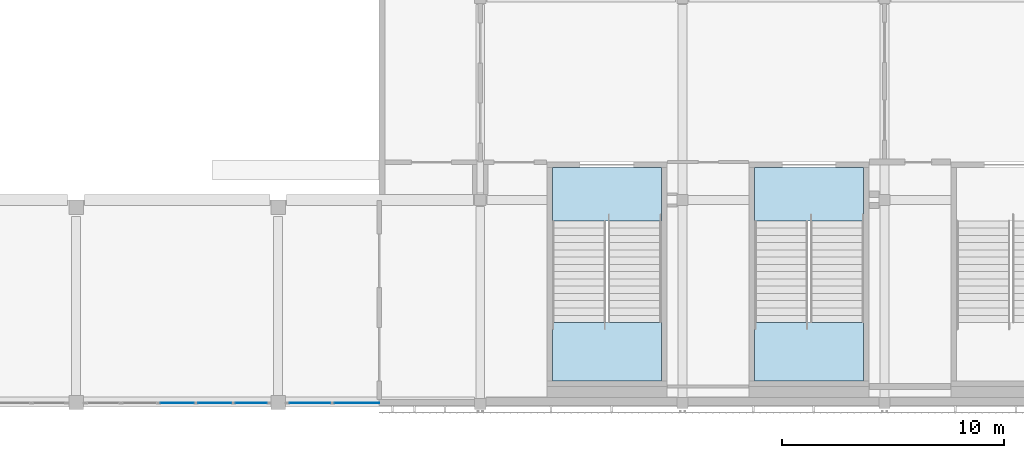
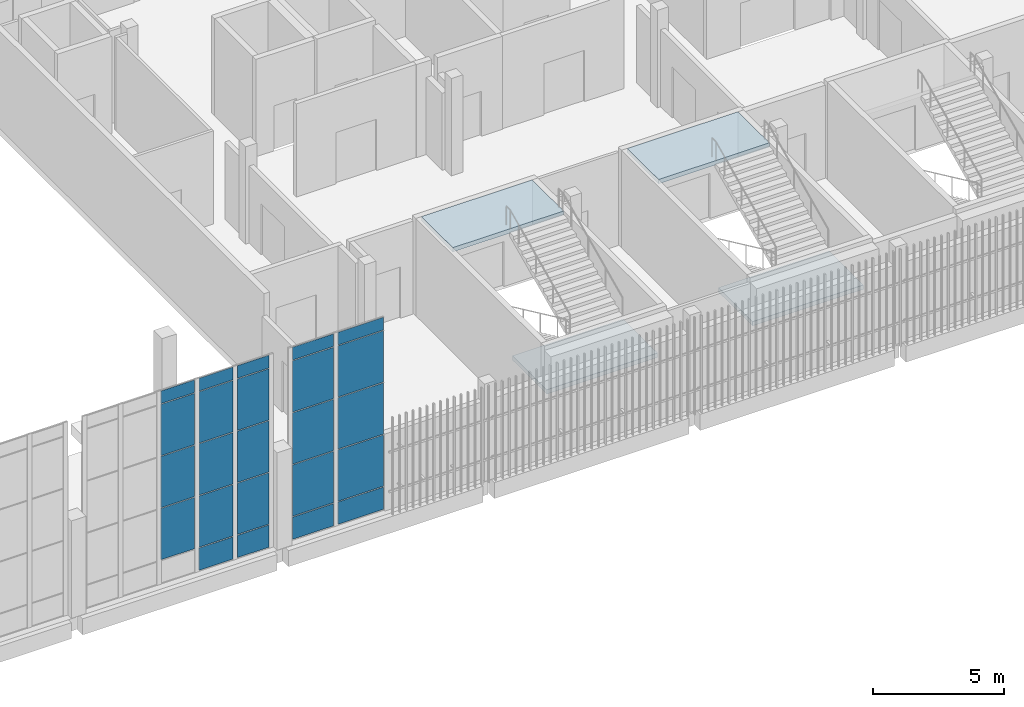
# One storey, part 33 of 91: 24 plates, 4 slabs, 4 elements without a shape of their own.
"""IFC4 building model written with IfcOpenShell, lengths in metres."""

from ifc_helpers import new_model, si_unit, direction, frame, origin, origin_2d, place, context, subcontext, project, spatial, polyline, rectangle, outline, extrude, material, layer, layer_set, type_object, element, aggregate, save


model = new_model("IFC4")

# Units and contexts
model_context = context("Model", 3, precision=1e-05, world=origin(), true_north=direction((0.0, 1.0)))
body_context = subcontext(model_context, "Body", "Model", "MODEL_VIEW")
ifc_project = project(units=[si_unit("LENGTHUNIT", "METRE"), si_unit("AREAUNIT", "SQUARE_METRE"), si_unit("VOLUMEUNIT", "CUBIC_METRE"), si_unit("PLANEANGLEUNIT", "RADIAN"), si_unit("MASSUNIT", "GRAM", prefix="KILO")], contexts=[model_context])

# Site, building, storey
site_placement = place(None, origin())
site = spatial("IfcSite", under=ifc_project, at=site_placement, CompositionType="ELEMENT")
building_placement = place(site_placement, origin())
building = spatial("IfcBuilding", under=site, at=building_placement, Name="Shirokan Park Arena", CompositionType="ELEMENT")
storey_placement = place(building_placement, frame((0.0, 0.0, 24.570068359375)))
storey = spatial("IfcBuildingStorey", under=building, at=storey_placement, Name="L05", CompositionType="ELEMENT", Elevation=24.570068359375)

# Curtain wall, plates
ifc_material_1 = material(Name="Steel and glass curtain wall", Category="steel")
ifc_layer_1 = layer(ifc_material_1, 0.199951171875)
ifc_layer_set_1 = layer_set([ifc_layer_1], Name="Steel and glass curtain wall 200 mm")
curtain_wall_type = type_object("IfcCurtainWallType", Name="Curtain wall hall bay 200", PredefinedType="NOTDEFINED", material=ifc_layer_set_1)
curtain_wall_1_placement = place(storey_placement, origin())
curtain_wall_1 = element("IfcCurtainWall", 1, at=curtain_wall_1_placement, inside=storey, type_object=curtain_wall_type, Name="Curtain wall south bay 11 L05", PredefinedType="NOTDEFINED")
ifc_material_2 = material(Name="Toughened glass", Category="glass")
ifc_layer_2 = layer(ifc_material_2, 0.012939453125, Name="Toughened glass")
ifc_material_3 = material(Name="Interlayer film")
ifc_layer_3 = layer(ifc_material_3, 0.001953125, Name="Interlayer film")
ifc_layer_4 = layer(ifc_material_2, 0.012939453125, Name="Toughened glass")
ifc_layer_set_2 = layer_set([ifc_layer_2, ifc_layer_3, ifc_layer_4], Name="Toughened glass + Interlayer film")
plate_type_1 = type_object("IfcPlateType", Name="Laminated glass panel 28", PredefinedType="CURTAIN_PANEL", material=ifc_layer_set_2)
plate_1_placement = place(storey_placement, frame((95.550048828125, -0.050048828125, 1.1201171875), z_axis=(0.0, 0.0, 1.0), x_axis=(1.0, 0.0, 0.0)))
plate_1 = element("IfcPlate", 2, at=plate_1_placement, type_object=plate_type_1, Name="CW5 panel 3.2", PredefinedType="CURTAIN_PANEL", context=body_context, shape_type="SweptSolid", body=[
    extrude(rectangle(XDim=1.489990234375, YDim=0.028076171875, at=origin_2d()), origin(), (0.0, 0.0, 1.0), 2.393310546875),
])
plate_2_placement = place(storey_placement, frame((95.550048828125, -0.050048828125, 3.55322265625), z_axis=(0.0, 0.0, 1.0), x_axis=(1.0, 0.0, 0.0)))
plate_2 = element("IfcPlate", 3, at=plate_2_placement, type_object=plate_type_1, Name="CW5 panel 3.3", PredefinedType="CURTAIN_PANEL", context=body_context, shape_type="SweptSolid", body=[
    extrude(rectangle(XDim=1.489990234375, YDim=0.028076171875, at=origin_2d()), origin(), (0.0, 0.0, 1.0), 2.393310546875),
])
plate_3_placement = place(storey_placement, frame((95.550048828125, -0.050048828125, 5.98681640625), z_axis=(0.0, 0.0, 1.0), x_axis=(1.0, 0.0, 0.0)))
plate_3 = element("IfcPlate", 4, at=plate_3_placement, type_object=plate_type_1, Name="CW5 panel 3.4", PredefinedType="CURTAIN_PANEL", context=body_context, shape_type="SweptSolid", body=[
    extrude(rectangle(XDim=1.489990234375, YDim=0.028076171875, at=origin_2d()), origin(), (0.0, 0.0, 1.0), 2.393310546875),
])
plate_4_placement = place(storey_placement, frame((95.550048828125, -0.050048828125, 8.419921875), z_axis=(0.0, 0.0, 1.0), x_axis=(1.0, 0.0, 0.0)))
plate_4 = element("IfcPlate", 5, at=plate_4_placement, type_object=plate_type_1, Name="CW5 panel 3.5", PredefinedType="CURTAIN_PANEL", context=body_context, shape_type="SweptSolid", body=[
    extrude(rectangle(XDim=1.489990234375, YDim=0.028076171875, at=origin_2d()), origin(), (0.0, 0.0, 1.0), 0.590087890625),
])
plate_5_placement = place(storey_placement, frame((97.239990234375, -0.050048828125, 1.1201171875), z_axis=(0.0, 0.0, 1.0), x_axis=(1.0, 0.0, 0.0)))
plate_5 = element("IfcPlate", 6, at=plate_5_placement, type_object=plate_type_1, Name="CW5 panel 4.2", PredefinedType="CURTAIN_PANEL", context=body_context, shape_type="SweptSolid", body=[
    extrude(rectangle(XDim=1.489990234375, YDim=0.028076171875, at=origin_2d()), origin(), (0.0, 0.0, 1.0), 2.393310546875),
])
plate_6_placement = place(storey_placement, frame((97.239990234375, -0.050048828125, 3.55322265625), z_axis=(0.0, 0.0, 1.0), x_axis=(1.0, 0.0, 0.0)))
plate_6 = element("IfcPlate", 7, at=plate_6_placement, type_object=plate_type_1, Name="CW5 panel 4.3", PredefinedType="CURTAIN_PANEL", context=body_context, shape_type="SweptSolid", body=[
    extrude(rectangle(XDim=1.489990234375, YDim=0.028076171875, at=origin_2d()), origin(), (0.0, 0.0, 1.0), 2.393310546875),
])
plate_7_placement = place(storey_placement, frame((97.239990234375, -0.050048828125, 5.98681640625), z_axis=(0.0, 0.0, 1.0), x_axis=(1.0, 0.0, 0.0)))
plate_7 = element("IfcPlate", 8, at=plate_7_placement, type_object=plate_type_1, Name="CW5 panel 4.4", PredefinedType="CURTAIN_PANEL", context=body_context, shape_type="SweptSolid", body=[
    extrude(rectangle(XDim=1.489990234375, YDim=0.028076171875, at=origin_2d()), origin(), (0.0, 0.0, 1.0), 2.393310546875),
])
plate_8_placement = place(storey_placement, frame((97.239990234375, -0.050048828125, 8.419921875), z_axis=(0.0, 0.0, 1.0), x_axis=(1.0, 0.0, 0.0)))
plate_8 = element("IfcPlate", 9, at=plate_8_placement, type_object=plate_type_1, Name="CW5 panel 4.5", PredefinedType="CURTAIN_PANEL", context=body_context, shape_type="SweptSolid", body=[
    extrude(rectangle(XDim=1.489990234375, YDim=0.028076171875, at=origin_2d()), origin(), (0.0, 0.0, 1.0), 0.590087890625),
])
plate_9_placement = place(storey_placement, frame((98.8798828125, -0.050048828125, 1.1201171875), z_axis=(0.0, 0.0, 1.0), x_axis=(1.0, 0.0, 0.0)))
plate_9 = element("IfcPlate", 10, at=plate_9_placement, type_object=plate_type_1, Name="CW5 panel 5.2", PredefinedType="CURTAIN_PANEL", context=body_context, shape_type="SweptSolid", body=[
    extrude(rectangle(XDim=1.389892578125, YDim=0.028076171875, at=origin_2d()), origin(), (0.0, 0.0, 1.0), 2.393310546875),
])
plate_10_placement = place(storey_placement, frame((98.8798828125, -0.050048828125, 3.55322265625), z_axis=(0.0, 0.0, 1.0), x_axis=(1.0, 0.0, 0.0)))
plate_10 = element("IfcPlate", 11, at=plate_10_placement, type_object=plate_type_1, Name="CW5 panel 5.3", PredefinedType="CURTAIN_PANEL", context=body_context, shape_type="SweptSolid", body=[
    extrude(rectangle(XDim=1.389892578125, YDim=0.028076171875, at=origin_2d()), origin(), (0.0, 0.0, 1.0), 2.393310546875),
])
plate_11_placement = place(storey_placement, frame((98.8798828125, -0.050048828125, 5.98681640625), z_axis=(0.0, 0.0, 1.0), x_axis=(1.0, 0.0, 0.0)))
plate_11 = element("IfcPlate", 12, at=plate_11_placement, type_object=plate_type_1, Name="CW5 panel 5.4", PredefinedType="CURTAIN_PANEL", context=body_context, shape_type="SweptSolid", body=[
    extrude(rectangle(XDim=1.389892578125, YDim=0.028076171875, at=origin_2d()), origin(), (0.0, 0.0, 1.0), 2.393310546875),
])
plate_12_placement = place(storey_placement, frame((98.8798828125, -0.050048828125, 8.419921875), z_axis=(0.0, 0.0, 1.0), x_axis=(1.0, 0.0, 0.0)))
plate_12 = element("IfcPlate", 13, at=plate_12_placement, type_object=plate_type_1, Name="CW5 panel 5.5", PredefinedType="CURTAIN_PANEL", context=body_context, shape_type="SweptSolid", body=[
    extrude(rectangle(XDim=1.389892578125, YDim=0.028076171875, at=origin_2d()), origin(), (0.0, 0.0, 1.0), 0.590087890625),
])

curtain_wall_2_placement = place(storey_placement, origin())
curtain_wall_2 = element("IfcCurtainWall", 14, at=curtain_wall_2_placement, inside=storey, type_object=curtain_wall_type, Name="Curtain wall south bay 12 L05", PredefinedType="NOTDEFINED")
plate_13_placement = place(storey_placement, frame((101.53125, -0.050048828125, 1.1201171875), z_axis=(0.0, 0.0, 1.0), x_axis=(1.0, 0.0, 0.0)))
plate_13 = element("IfcPlate", 15, at=plate_13_placement, type_object=plate_type_1, Name="CW5 panel 1.2", PredefinedType="CURTAIN_PANEL", context=body_context, shape_type="SweptSolid", body=[
    extrude(rectangle(XDim=1.8125, YDim=0.028076171875, at=origin_2d()), origin(), (0.0, 0.0, 1.0), 2.393310546875),
])
plate_14_placement = place(storey_placement, frame((101.53125, -0.050048828125, 3.55322265625), z_axis=(0.0, 0.0, 1.0), x_axis=(1.0, 0.0, 0.0)))
plate_14 = element("IfcPlate", 16, at=plate_14_placement, type_object=plate_type_1, Name="CW5 panel 1.3", PredefinedType="CURTAIN_PANEL", context=body_context, shape_type="SweptSolid", body=[
    extrude(rectangle(XDim=1.8125, YDim=0.028076171875, at=origin_2d()), origin(), (0.0, 0.0, 1.0), 2.393310546875),
])
plate_15_placement = place(storey_placement, frame((101.53125, -0.050048828125, 5.98681640625), z_axis=(0.0, 0.0, 1.0), x_axis=(1.0, 0.0, 0.0)))
plate_15 = element("IfcPlate", 17, at=plate_15_placement, type_object=plate_type_1, Name="CW5 panel 1.4", PredefinedType="CURTAIN_PANEL", context=body_context, shape_type="SweptSolid", body=[
    extrude(rectangle(XDim=1.8125, YDim=0.028076171875, at=origin_2d()), origin(), (0.0, 0.0, 1.0), 2.393310546875),
])
plate_16_placement = place(storey_placement, frame((101.53125, -0.050048828125, 8.419921875), z_axis=(0.0, 0.0, 1.0), x_axis=(1.0, 0.0, 0.0)))
plate_16 = element("IfcPlate", 18, at=plate_16_placement, type_object=plate_type_1, Name="CW5 panel 1.5", PredefinedType="CURTAIN_PANEL", context=body_context, shape_type="SweptSolid", body=[
    extrude(rectangle(XDim=1.8125, YDim=0.028076171875, at=origin_2d()), origin(), (0.0, 0.0, 1.0), 0.590087890625),
])
plate_17_placement = place(storey_placement, frame((103.643798828125, -0.050048828125, 1.1201171875), z_axis=(0.0, 0.0, 1.0), x_axis=(1.0, 0.0, 0.0)))
plate_17 = element("IfcPlate", 19, at=plate_17_placement, type_object=plate_type_1, Name="CW5 panel 2.2", PredefinedType="CURTAIN_PANEL", context=body_context, shape_type="SweptSolid", body=[
    extrude(rectangle(XDim=2.012451171875, YDim=0.028076171875, at=origin_2d()), origin(), (0.0, 0.0, 1.0), 2.393310546875),
])
plate_18_placement = place(storey_placement, frame((103.643798828125, -0.050048828125, 3.55322265625), z_axis=(0.0, 0.0, 1.0), x_axis=(1.0, 0.0, 0.0)))
plate_18 = element("IfcPlate", 20, at=plate_18_placement, type_object=plate_type_1, Name="CW5 panel 2.3", PredefinedType="CURTAIN_PANEL", context=body_context, shape_type="SweptSolid", body=[
    extrude(rectangle(XDim=2.012451171875, YDim=0.028076171875, at=origin_2d()), origin(), (0.0, 0.0, 1.0), 2.393310546875),
])
plate_19_placement = place(storey_placement, frame((103.643798828125, -0.050048828125, 5.98681640625), z_axis=(0.0, 0.0, 1.0), x_axis=(1.0, 0.0, 0.0)))
plate_19 = element("IfcPlate", 21, at=plate_19_placement, type_object=plate_type_1, Name="CW5 panel 2.4", PredefinedType="CURTAIN_PANEL", context=body_context, shape_type="SweptSolid", body=[
    extrude(rectangle(XDim=2.012451171875, YDim=0.028076171875, at=origin_2d()), origin(), (0.0, 0.0, 1.0), 2.393310546875),
])
plate_20_placement = place(storey_placement, frame((103.643798828125, -0.050048828125, 8.419921875), z_axis=(0.0, 0.0, 1.0), x_axis=(1.0, 0.0, 0.0)))
plate_20 = element("IfcPlate", 22, at=plate_20_placement, type_object=plate_type_1, Name="CW5 panel 2.5", PredefinedType="CURTAIN_PANEL", context=body_context, shape_type="SweptSolid", body=[
    extrude(rectangle(XDim=2.012451171875, YDim=0.028076171875, at=origin_2d()), origin(), (0.0, 0.0, 1.0), 0.590087890625),
])

# Plate
ifc_layer_5 = layer(ifc_material_2, 0.01708984375, Name="Toughened glass")
ifc_layer_6 = layer(ifc_material_3, 0.001953125, Name="Interlayer film")
ifc_layer_7 = layer(ifc_material_2, 0.01708984375, Name="Toughened glass")
ifc_layer_set_3 = layer_set([ifc_layer_5, ifc_layer_6, ifc_layer_7], Name="Toughened glass + Interlayer film")
plate_type_2 = type_object("IfcPlateType", Name="Laminated safety glass panel 36", PredefinedType="CURTAIN_PANEL", material=ifc_layer_set_3)
plate_21_placement = place(storey_placement, frame((97.239990234375, -0.050048828125, 0.039794921875), z_axis=(0.0, 0.0, 1.0), x_axis=(1.0, 0.0, 0.0)))
plate_21 = element("IfcPlate", 23, at=plate_21_placement, type_object=plate_type_2, Name="CW5 panel 4.1", PredefinedType="CURTAIN_PANEL", context=body_context, shape_type="SweptSolid", body=[
    extrude(rectangle(XDim=1.489990234375, YDim=0.035888671875, at=origin_2d()), origin(), (0.0, 0.0, 1.0), 1.0400390625),
])

plate_22_placement = place(storey_placement, frame((98.8798828125, -0.050048828125, 0.039794921875), z_axis=(0.0, 0.0, 1.0), x_axis=(1.0, 0.0, 0.0)))
plate_22 = element("IfcPlate", 24, at=plate_22_placement, type_object=plate_type_2, Name="CW5 panel 5.1", PredefinedType="CURTAIN_PANEL", context=body_context, shape_type="SweptSolid", body=[
    extrude(rectangle(XDim=1.389892578125, YDim=0.035888671875, at=origin_2d()), origin(), (0.0, 0.0, 1.0), 1.0400390625),
])

aggregate(curtain_wall_1, [plate_1, plate_2, plate_3, plate_4, plate_21, plate_5, plate_6, plate_7, plate_8, plate_22, plate_9, plate_10, plate_11, plate_12])

plate_23_placement = place(storey_placement, frame((101.53125, -0.050048828125, 0.039794921875), z_axis=(0.0, 0.0, 1.0), x_axis=(1.0, 0.0, 0.0)))
plate_23 = element("IfcPlate", 25, at=plate_23_placement, type_object=plate_type_2, Name="CW5 panel 1.1", PredefinedType="CURTAIN_PANEL", context=body_context, shape_type="SweptSolid", body=[
    extrude(rectangle(XDim=1.8125, YDim=0.035888671875, at=origin_2d()), origin(), (0.0, 0.0, 1.0), 1.0400390625),
])

plate_24_placement = place(storey_placement, frame((103.643798828125, -0.050048828125, 0.039794921875), z_axis=(0.0, 0.0, 1.0), x_axis=(1.0, 0.0, 0.0)))
plate_24 = element("IfcPlate", 26, at=plate_24_placement, type_object=plate_type_2, Name="CW5 panel 2.1", PredefinedType="CURTAIN_PANEL", context=body_context, shape_type="SweptSolid", body=[
    extrude(rectangle(XDim=2.012451171875, YDim=0.035888671875, at=origin_2d()), origin(), (0.0, 0.0, 1.0), 1.0400390625),
])

aggregate(curtain_wall_2, [plate_23, plate_13, plate_14, plate_15, plate_16, plate_24, plate_17, plate_18, plate_19, plate_20])

# Stair, slabs
ifc_material_4 = material(Name="Concrete C30 precast", Category="concrete")
stair_type = type_object("IfcStairType", Name="Stair 30 risers 152 x 327 2400 wide", PredefinedType="TWO_STRAIGHT_RUN_STAIR", material=ifc_material_4)
stair_1_placement = place(storey_placement, origin())
stair_1 = element("IfcStair", 27, at=stair_1_placement, inside=storey, type_object=stair_type, Name="Exit Stair 2.C L05 to L06", PredefinedType="TWO_STRAIGHT_RUN_STAIR")
ifc_layer_8 = layer(ifc_material_4, 0.199951171875)
ifc_layer_set_4 = layer_set([ifc_layer_8], Name="Concrete C30 precast 200 mm")
slab_type = type_object("IfcSlabType", Name="Stair landing 200", PredefinedType="LANDING", material=ifc_layer_set_4)
slab_1_placement = place(storey_placement, frame((0.0, 0.0, 2.074951171875)))
slab_1 = element("IfcSlab", 28, at=slab_1_placement, type_object=slab_type, Name="ST06.6 landing 1", PredefinedType="LANDING", context=body_context, shape_type="SweptSolid", body=[
    extrude(outline(polyline([(121.550048828125, 0.949951171875), (126.449951171875, 0.949951171875), (126.449951171875, 3.576171875), (121.550048828125, 3.576171875), (121.550048828125, 0.949951171875)])), origin(), (0.0, 0.0, 1.0), 0.199951171875),
])
slab_2_placement = place(storey_placement, frame((0.0, 0.0, 4.349853515625)))
slab_2 = element("IfcSlab", 29, at=slab_2_placement, type_object=slab_type, Name="ST06.6 landing 2", PredefinedType="LANDING", context=body_context, shape_type="SweptSolid", body=[
    extrude(outline(polyline([(121.550048828125, 8.14990234375), (126.449951171875, 8.14990234375), (126.449951171875, 10.550048828125), (121.550048828125, 10.550048828125), (121.550048828125, 8.14990234375)])), origin(), (0.0, 0.0, 1.0), 0.2001953125),
])
aggregate(stair_1, [slab_1, slab_2])

stair_2_placement = place(storey_placement, origin())
stair_2 = element("IfcStair", 30, at=stair_2_placement, inside=storey, type_object=stair_type, Name="Exit Stair 2.D L05 to L06", PredefinedType="TWO_STRAIGHT_RUN_STAIR")
slab_3_placement = place(storey_placement, frame((0.0, 0.0, 2.074951171875)))
slab_3 = element("IfcSlab", 31, at=slab_3_placement, type_object=slab_type, Name="ST07.6 landing 1", PredefinedType="LANDING", context=body_context, shape_type="SweptSolid", body=[
    extrude(outline(polyline([(112.449951171875, 0.949951171875), (117.35009765625, 0.949951171875), (117.35009765625, 3.576171875), (112.449951171875, 3.576171875), (112.449951171875, 0.949951171875)])), origin(), (0.0, 0.0, 1.0), 0.199951171875),
])
slab_4_placement = place(storey_placement, frame((0.0, 0.0, 4.349853515625)))
slab_4 = element("IfcSlab", 32, at=slab_4_placement, type_object=slab_type, Name="ST07.6 landing 2", PredefinedType="LANDING", context=body_context, shape_type="SweptSolid", body=[
    extrude(outline(polyline([(112.449951171875, 8.14990234375), (117.35009765625, 8.14990234375), (117.35009765625, 10.550048828125), (112.449951171875, 10.550048828125), (112.449951171875, 8.14990234375)])), origin(), (0.0, 0.0, 1.0), 0.2001953125),
])
aggregate(stair_2, [slab_3, slab_4])

save(model, "model.ifc")
